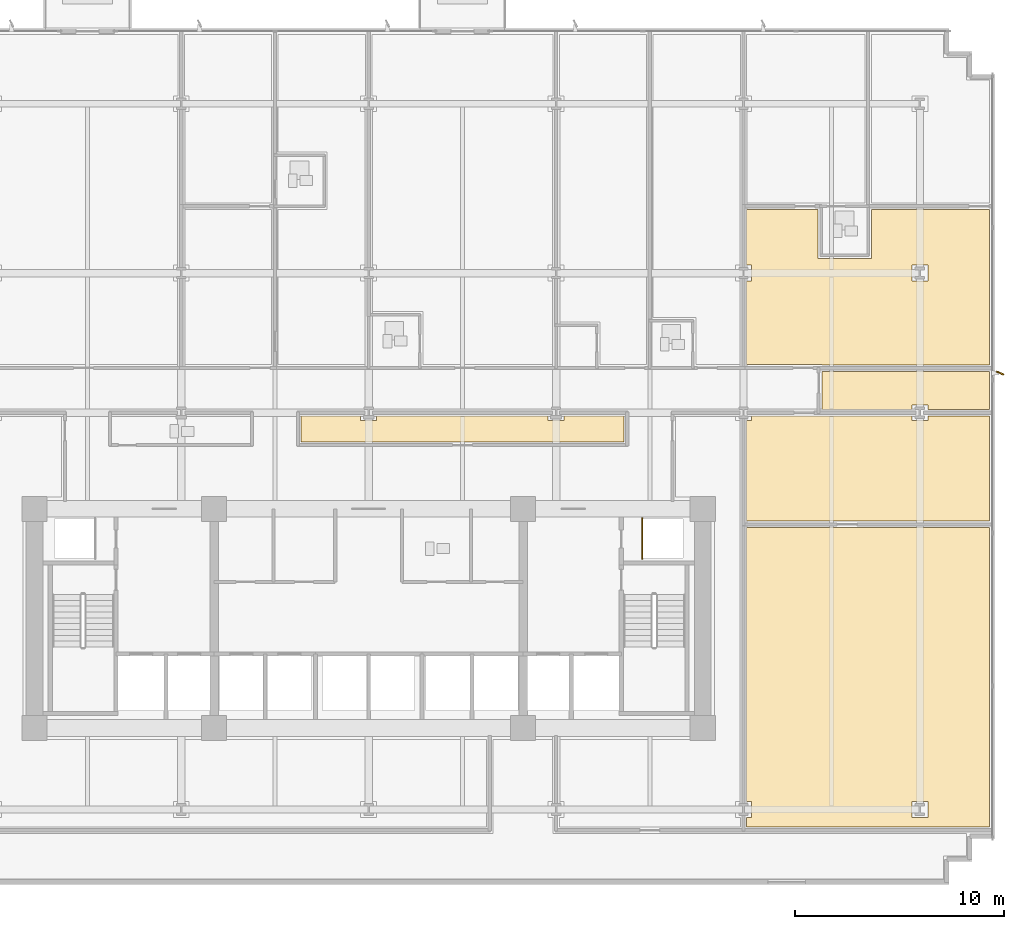
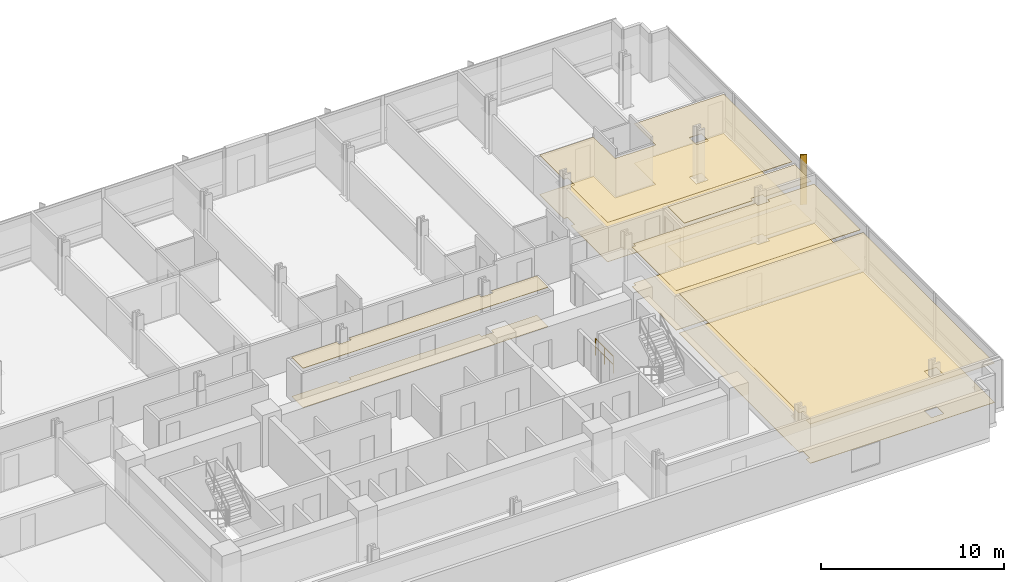
# One storey, part 15 of 18: 10 coverings, 1 railing, 1 shading device.
"""IFC4 building model written with IfcOpenShell, lengths in metres."""

from ifc_helpers import new_model, si_unit, direction, frame, origin, origin_2d, place, context, subcontext, project, spatial, polyline, rectangle, circle, outline, extrude, material, layer, layer_set, type_object, element, save


model = new_model("IFC4")

# Units and contexts
model_context = context("Model", 3, precision=1e-05, world=origin(), true_north=direction((0.0, 1.0)))
body_context = subcontext(model_context, "Body", "Model", "MODEL_VIEW")
ifc_project = project(units=[si_unit("LENGTHUNIT", "METRE"), si_unit("AREAUNIT", "SQUARE_METRE"), si_unit("VOLUMEUNIT", "CUBIC_METRE"), si_unit("PLANEANGLEUNIT", "RADIAN"), si_unit("MASSUNIT", "GRAM", prefix="KILO")], contexts=[model_context])

# Site, building, storey
site_placement = place(None, origin())
site = spatial("IfcSite", under=ifc_project, at=site_placement, CompositionType="ELEMENT")
building_placement = place(site_placement, origin())
building = spatial("IfcBuilding", under=site, at=building_placement, Name="Solmavex Isthmus Hotel", CompositionType="ELEMENT")
storey_placement = place(building_placement, frame((0.0, 0.0, 43.64990234375)))
storey = spatial("IfcBuildingStorey", under=building, at=storey_placement, Name="L11", CompositionType="ELEMENT", Elevation=43.64990234375)

# Coverings
ifc_material_1 = material(Name="Gypsum plasterboard lining", Category="gypsum")
ifc_layer_1 = layer(ifc_material_1, 0.030029296875)
ifc_layer_set_1 = layer_set([ifc_layer_1], Name="Gypsum plasterboard lining")
covering_type_1 = type_object("IfcCoveringType", Name="COV-CEIL-GYP", PredefinedType="CEILING", material=ifc_layer_set_1)
covering_1_placement = place(storey_placement, frame((0.0, 0.0, 2.6201171875)))
element("IfcCovering", 1, at=covering_1_placement, inside=storey, type_object=covering_type_1, Name="Suspended Acoustic Ceiling L11-ST06-FY", PredefinedType="CEILING", context=body_context, shape_type="SweptSolid", body=[
    extrude(outline(polyline([(18.10693359375, 9.16796875), (18.33203125, 9.16796875), (18.33203125, 8.407958984375), (18.10693359375, 8.407958984375), (18.10693359375, 4.405029296875), (21.70703125, 4.405029296875), (21.70703125, 4.385009765625), (29.72509765625, 4.385009765625), (29.72509765625, 11.8330078125), (24.071044921875, 11.8330078125), (24.071044921875, 9.48291015625), (21.510986328125, 9.48291015625), (21.510986328125, 11.8330078125), (18.10693359375, 11.8330078125), (18.10693359375, 9.16796875)]), holes=[polyline([(26.02001953125, 8.407958984375), (26.02001953125, 9.16796875), (26.780029296875, 9.16796875), (26.780029296875, 8.407958984375), (26.02001953125, 8.407958984375)])]), origin(), (0.0, 0.0, 1.0), 0.030029296875),
])
covering_2_placement = place(storey_placement, frame((0.0, 0.0, 2.6201171875)))
element("IfcCovering", 2, at=covering_2_placement, inside=storey, type_object=covering_type_1, Name="Suspended Acoustic Ceiling L11-FL09", PredefinedType="CEILING", context=body_context, shape_type="SweptSolid", body=[
    extrude(outline(polyline([(26.02001953125, 2.2548828125), (26.02001953125, 2.47998046875), (26.780029296875, 2.47998046875), (26.780029296875, 2.2548828125), (29.72509765625, 2.2548828125), (29.72509765625, 4.074951171875), (21.70703125, 4.074951171875), (21.70703125, 2.2548828125), (26.02001953125, 2.2548828125)])), origin(), (0.0, 0.0, 1.0), 0.030029296875),
])
covering_3_placement = place(storey_placement, frame((0.0, 0.0, 2.6201171875)))
element("IfcCovering", 3, at=covering_3_placement, inside=storey, type_object=covering_type_1, Name="Suspended Acoustic Ceiling L11-FL10", PredefinedType="CEILING", context=body_context, shape_type="SweptSolid", body=[
    extrude(outline(polyline([(0.3798828125, 1.945068359375), (0.3798828125, 1.719970703125), (-0.3798828125, 1.719970703125), (-0.3798828125, 1.945068359375), (-3.23291015625, 1.945068359375), (-3.23291015625, 0.705078125), (12.22900390625, 0.705078125), (12.22900390625, 1.945068359375), (9.35595703125, 1.945068359375), (9.35595703125, 1.719970703125), (8.595947265625, 1.719970703125), (8.595947265625, 1.945068359375), (0.3798828125, 1.945068359375)])), origin(), (0.0, 0.0, 1.0), 0.030029296875),
])
covering_4_placement = place(storey_placement, frame((0.0, 0.0, 2.6201171875)))
element("IfcCovering", 4, at=covering_4_placement, inside=storey, type_object=covering_type_1, Name="Suspended Acoustic Ceiling L11-FL12", PredefinedType="CEILING", context=body_context, shape_type="SweptSolid", body=[
    extrude(outline(polyline([(26.780029296875, 1.945068359375), (26.780029296875, 1.719970703125), (26.02001953125, 1.719970703125), (26.02001953125, 1.945068359375), (18.33203125, 1.945068359375), (18.33203125, 1.719970703125), (18.10693359375, 1.719970703125), (18.10693359375, -3.094970703125), (29.72509765625, -3.094970703125), (29.72509765625, 1.945068359375), (26.780029296875, 1.945068359375)])), origin(), (0.0, 0.0, 1.0), 0.030029296875),
])
covering_5_placement = place(storey_placement, frame((0.0, 0.0, 2.6201171875)))
element("IfcCovering", 5, at=covering_5_placement, inside=storey, type_object=covering_type_1, Name="Suspended Acoustic Ceiling L11-FL17", PredefinedType="CEILING", context=body_context, shape_type="SweptSolid", body=[
    extrude(outline(polyline([(18.10693359375, -16.52001953125), (18.33203125, -16.52001953125), (18.33203125, -17.280029296875), (18.10693359375, -17.280029296875), (18.10693359375, -17.7451171875), (29.72509765625, -17.7451171875), (29.72509765625, -3.405029296875), (18.10693359375, -3.405029296875), (18.10693359375, -16.52001953125)]), holes=[polyline([(26.02001953125, -17.280029296875), (26.02001953125, -16.52001953125), (26.780029296875, -16.52001953125), (26.780029296875, -17.280029296875), (26.02001953125, -17.280029296875)])]), origin(), (0.0, 0.0, 1.0), 0.030029296875),
])
ifc_material_2 = material(Name="Travertine natural stone", Category="masonry")
ifc_layer_2 = layer(ifc_material_2, 0.02490234375)
ifc_layer_set_2 = layer_set([ifc_layer_2], Name="Travertine natural stone")
covering_type_2 = type_object("IfcCoveringType", Name="COV-FLOR-STN", PredefinedType="FLOORING", material=ifc_layer_set_2)
covering_6_placement = place(storey_placement, origin())
element("IfcCovering", 6, at=covering_6_placement, inside=storey, type_object=covering_type_2, Name="Stone and Timber Floor Finish L11-ST06-FY", PredefinedType="FLOORING", context=body_context, shape_type="SweptSolid", body=[
    extrude(outline(polyline([(18.10693359375, 9.16796875), (18.33203125, 9.16796875), (18.33203125, 8.407958984375), (18.10693359375, 8.407958984375), (18.10693359375, 4.405029296875), (21.70703125, 4.405029296875), (21.70703125, 4.385009765625), (29.72509765625, 4.385009765625), (29.72509765625, 11.8330078125), (24.071044921875, 11.8330078125), (24.071044921875, 9.48291015625), (21.510986328125, 9.48291015625), (21.510986328125, 11.8330078125), (18.10693359375, 11.8330078125), (18.10693359375, 9.16796875)]), holes=[polyline([(26.02001953125, 8.407958984375), (26.02001953125, 9.16796875), (26.780029296875, 9.16796875), (26.780029296875, 8.407958984375), (26.02001953125, 8.407958984375)])]), origin(), (0.0, 0.0, 1.0), 0.025146484375),
])
covering_7_placement = place(storey_placement, origin())
element("IfcCovering", 7, at=covering_7_placement, inside=storey, type_object=covering_type_2, Name="Stone and Timber Floor Finish L11-FL09", PredefinedType="FLOORING", context=body_context, shape_type="SweptSolid", body=[
    extrude(outline(polyline([(26.02001953125, 2.2548828125), (26.02001953125, 2.47998046875), (26.780029296875, 2.47998046875), (26.780029296875, 2.2548828125), (29.72509765625, 2.2548828125), (29.72509765625, 4.074951171875), (21.70703125, 4.074951171875), (21.70703125, 2.2548828125), (26.02001953125, 2.2548828125)])), origin(), (0.0, 0.0, 1.0), 0.025146484375),
])
covering_8_placement = place(storey_placement, origin())
element("IfcCovering", 8, at=covering_8_placement, inside=storey, type_object=covering_type_2, Name="Stone and Timber Floor Finish L11-FL10", PredefinedType="FLOORING", context=body_context, shape_type="SweptSolid", body=[
    extrude(outline(polyline([(0.3798828125, 1.945068359375), (0.3798828125, 1.719970703125), (-0.3798828125, 1.719970703125), (-0.3798828125, 1.945068359375), (-3.23291015625, 1.945068359375), (-3.23291015625, 0.705078125), (12.22900390625, 0.705078125), (12.22900390625, 1.945068359375), (9.35595703125, 1.945068359375), (9.35595703125, 1.719970703125), (8.595947265625, 1.719970703125), (8.595947265625, 1.945068359375), (0.3798828125, 1.945068359375)])), origin(), (0.0, 0.0, 1.0), 0.025146484375),
])
covering_9_placement = place(storey_placement, origin())
element("IfcCovering", 9, at=covering_9_placement, inside=storey, type_object=covering_type_2, Name="Stone and Timber Floor Finish L11-FL12", PredefinedType="FLOORING", context=body_context, shape_type="SweptSolid", body=[
    extrude(outline(polyline([(26.780029296875, 1.945068359375), (26.780029296875, 1.719970703125), (26.02001953125, 1.719970703125), (26.02001953125, 1.945068359375), (18.33203125, 1.945068359375), (18.33203125, 1.719970703125), (18.10693359375, 1.719970703125), (18.10693359375, -3.094970703125), (29.72509765625, -3.094970703125), (29.72509765625, 1.945068359375), (26.780029296875, 1.945068359375)])), origin(), (0.0, 0.0, 1.0), 0.025146484375),
])
covering_10_placement = place(storey_placement, origin())
element("IfcCovering", 10, at=covering_10_placement, inside=storey, type_object=covering_type_2, Name="Stone and Timber Floor Finish L11-FL17", PredefinedType="FLOORING", context=body_context, shape_type="SweptSolid", body=[
    extrude(outline(polyline([(18.10693359375, -16.52001953125), (18.33203125, -16.52001953125), (18.33203125, -17.280029296875), (18.10693359375, -17.280029296875), (18.10693359375, -17.7451171875), (29.72509765625, -17.7451171875), (29.72509765625, -3.405029296875), (18.10693359375, -3.405029296875), (18.10693359375, -16.52001953125)]), holes=[polyline([(26.02001953125, -17.280029296875), (26.02001953125, -16.52001953125), (26.780029296875, -16.52001953125), (26.780029296875, -17.280029296875), (26.02001953125, -17.280029296875)])]), origin(), (0.0, 0.0, 1.0), 0.025146484375),
])

# Railing
ifc_material_3 = material(Name="Clear low-E laminated glass", Category="glass")
ifc_layer_3 = layer(ifc_material_3, 0.080078125)
ifc_layer_set_3 = layer_set([ifc_layer_3], Name="Clear low-E laminated glass")
railing_type = type_object("IfcRailingType", Name="RAIL-ATRIUM-1120", PredefinedType="BALUSTRADE", material=ifc_layer_set_3)
railing_placement = place(storey_placement, frame((13.10009765625, -4.89990234375, 0.0)))
element("IfcRailing", 11, at=railing_placement, inside=storey, type_object=railing_type, Name="Guardrail Balustrade L11-RSE-01", PredefinedType="BALUSTRADE", context=body_context, shape_type="SweptSolid", body=[
    extrude(circle(Radius=0.02392578125, at=origin_2d()), frame((0.0, 0.0, 1.1259765625), z_axis=(0.0, 1.0, 0.0), x_axis=(-1.0, 0.0, 0.0)), (0.0, 0.0, 1.0), 1.949951171875),
    extrude(circle(Radius=0.02392578125, at=origin_2d()), frame((0.0, 0.0, 0.574951171875), z_axis=(0.0, 1.0, 0.0), x_axis=(-1.0, 0.0, 0.0)), (0.0, 0.0, 1.0), 1.949951171875),
    extrude(circle(Radius=0.02099609375, at=origin_2d()), origin(), (0.0, 0.0, 1.0), 1.101806640625),
    extrude(circle(Radius=0.02099609375, at=origin_2d()), frame((0.0, 0.97509765625, 0.0)), (0.0, 0.0, 1.0), 1.101806640625),
    extrude(circle(Radius=0.02099609375, at=origin_2d()), frame((0.0, 1.949951171875, 0.0)), (0.0, 0.0, 1.0), 1.101806640625),
])

# Shading device
ifc_material_4 = material(Name="Aluminium alloy 6063-T6", Category="aluminium")
shading_device_type = type_object("IfcShadingDeviceType", Name="SHD-FIN-CHAMP", PredefinedType="USERDEFINED", material=ifc_material_4)
shading_device_placement = place(storey_placement, frame((30.239990234375, 4.0, -0.139892578125), z_axis=(0.0, 0.0, 1.0), x_axis=(0.913545457643, -0.406736643076, 0.0)))
element("IfcShadingDevice", 12, at=shading_device_placement, inside=storey, type_object=shading_device_type, Name="Anodised Aluminium Solar Fin L11-E1", ObjectType="SOLAR_FIN", PredefinedType="USERDEFINED", context=body_context, shape_type="SweptSolid", body=[
    extrude(rectangle(XDim=0.3798828125, YDim=0.070068359375, at=origin_2d()), origin(), (0.0, 0.0, 1.0), 3.330078125),
])

save(model, "model.ifc")
